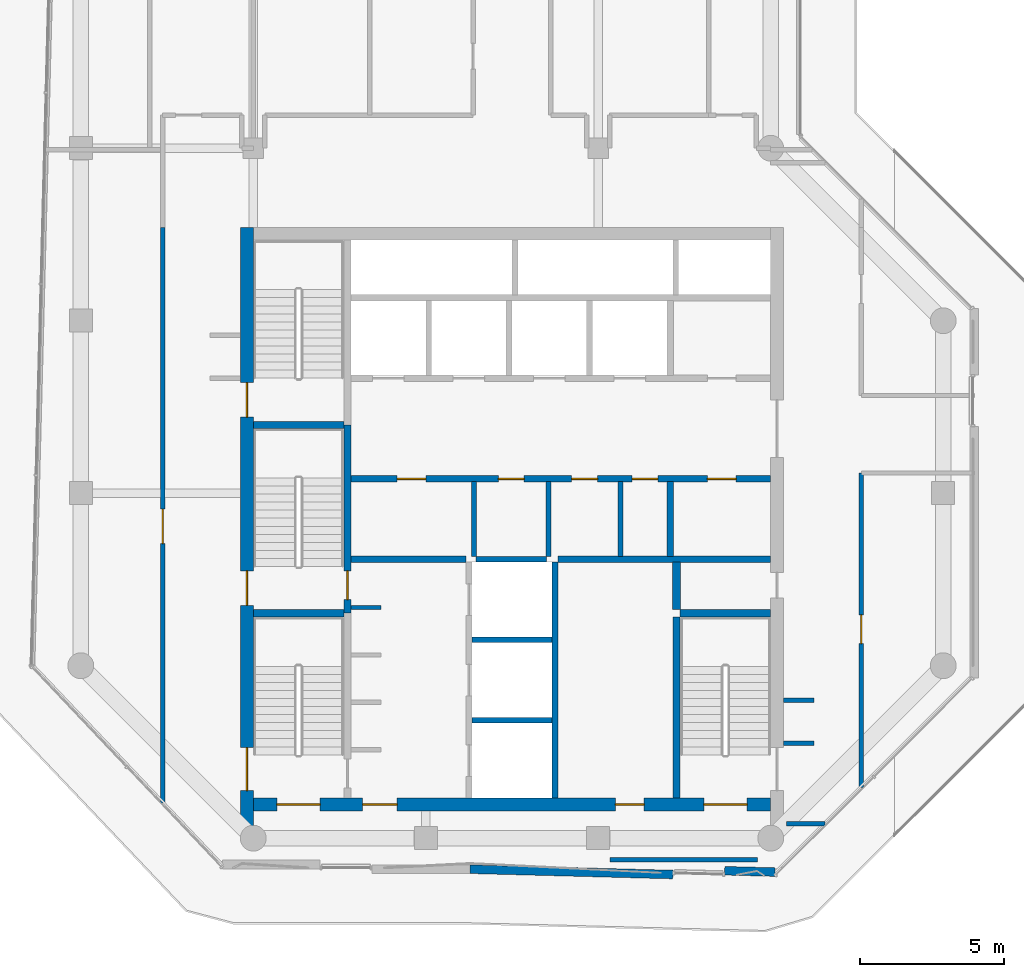
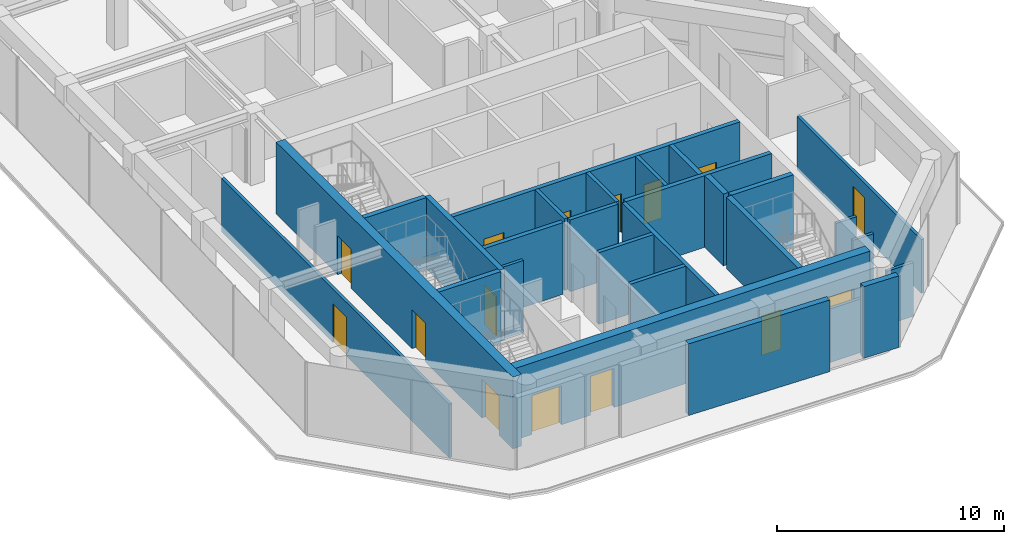
# One storey, part 15 of 19: 28 walls, 15 doors, 15 openings.
"""IFC4 building model written with IfcOpenShell, lengths in metres."""

from ifc_helpers import new_model, si_unit, direction, frame, frame_2d, origin, place, context, subcontext, project, spatial, rectangle, extrude, material, layer, layer_set, type_object, element, fill, save


model = new_model("IFC4")

# Units and contexts
model_context = context("Model", 3, precision=1e-05, world=origin(), true_north=direction((0.0, 1.0)))
body_context = subcontext(model_context, "Body", "Model", "MODEL_VIEW")
ifc_project = project(units=[si_unit("LENGTHUNIT", "METRE"), si_unit("AREAUNIT", "SQUARE_METRE"), si_unit("VOLUMEUNIT", "CUBIC_METRE"), si_unit("PLANEANGLEUNIT", "RADIAN"), si_unit("MASSUNIT", "GRAM", prefix="KILO")], contexts=[model_context])

# Site, building, storey
site_placement = place(None, origin())
site = spatial("IfcSite", under=ifc_project, at=site_placement, CompositionType="ELEMENT")
building_placement = place(site_placement, origin())
building = spatial("IfcBuilding", under=site, at=building_placement, Name="Welwitschia Terrace Campus", CompositionType="ELEMENT")
storey_placement = place(building_placement, frame((0.0, 0.0, 234.800048828125)))
storey = spatial("IfcBuildingStorey", under=building, at=storey_placement, Name="L52", CompositionType="ELEMENT", Elevation=234.800048828125)

# Walls
ifc_material_1 = material(Name="Concrete C32/40", Category="concrete")
ifc_layer_1 = layer(ifc_material_1, 0.175048828125)
ifc_layer_set_1 = layer_set([ifc_layer_1], Name="Concrete C32/40")
wall_type_1 = type_object("IfcWallType", Name="Core partition 175 Concrete C32/40", PredefinedType="PARTITIONING", material=ifc_layer_set_1)
for number, where, z_axis, x_axis, name in (
    (1, (13.675048828125, 13.800048828125, 0.0), (0.0, 0.0, 1.0), (0.0, 1.0, 0.0), "Core partition"),
    (2, (16.27490234375, 13.800048828125, 0.0), (0.0, 0.0, 1.0), (0.0, 1.0, 0.0), "Core partition"),
    (3, (18.77490234375, 13.800048828125, 0.0), (0.0, 0.0, 1.0), (0.0, 1.0, 0.0), "Core partition"),
):
    element("IfcWall", number, at=place(storey_placement, frame(where, z_axis=z_axis, x_axis=x_axis)), inside=storey, type_object=wall_type_1, Name=name, PredefinedType="PARTITIONING", context=body_context, shape_type="SweptSolid", body=[
        extrude(rectangle(XDim=2.599853515625, YDim=0.175048828125, at=frame_2d((1.2998046875, 0.0))), origin(), (0.0, 0.0, 1.0), 3.849853515625),
    ])
ifc_material_2 = material(Name="Concrete C32/40", Category="concrete")
ifc_layer_2 = layer(ifc_material_2, 0.22509765625)
ifc_layer_set_2 = layer_set([ifc_layer_2], Name="Concrete C32/40")
wall_type_2 = type_object("IfcWallType", Name="Core partition 225 Concrete C32/40", PredefinedType="PARTITIONING", material=ifc_layer_set_2)
wall_1_placement = place(storey_placement, frame((9.39990234375, 13.699951171875, 0.0), z_axis=(0.0, 0.0, 1.0), x_axis=(1.0, 0.0, 0.0)))
element("IfcWall", 4, at=wall_1_placement, inside=storey, type_object=wall_type_2, Name="Core partition", PredefinedType="PARTITIONING", context=body_context, shape_type="SweptSolid", body=[
    extrude(rectangle(XDim=4.0, YDim=0.22509765625, at=frame_2d((2.0, 0.0))), origin(), (0.0, 0.0, 1.0), 3.849853515625),
])
wall_2_placement = place(storey_placement, frame((16.60009765625, 13.699951171875, 0.0), z_axis=(0.0, 0.0, 1.0), x_axis=(1.0, 0.0, 0.0)))
element("IfcWall", 5, at=wall_2_placement, inside=storey, type_object=wall_type_2, Name="Core partition", PredefinedType="PARTITIONING", context=body_context, shape_type="SweptSolid", body=[
    extrude(rectangle(XDim=7.39990234375, YDim=0.22509765625, at=frame_2d((3.699951171875, 0.0))), origin(), (0.0, 0.0, 1.0), 3.849853515625),
])

# Wall, openings, doors
wall_3_placement = place(storey_placement, frame((9.39990234375, 16.5, 0.0), z_axis=(0.0, 0.0, 1.0), x_axis=(1.0, 0.0, 0.0)))
wall_3 = element("IfcWall", 6, at=wall_3_placement, inside=storey, type_object=wall_type_2, Name="Core partition", PredefinedType="PARTITIONING", context=body_context, shape_type="SweptSolid", body=[
    extrude(rectangle(XDim=14.60009765625, YDim=0.22509765625, at=frame_2d((7.300048828125, 0.0))), origin(), (0.0, 0.0, 1.0), 3.849853515625),
])
opening_1_placement = place(wall_3_placement, frame((1.60009765625, 0.0, 0.0)))
opening_1 = element("IfcOpeningElement", 7, at=opening_1_placement, cuts=wall_3, Name="Opening DR10", PredefinedType="OPENING", context=body_context, shape_type="SweptSolid", body=[
    extrude(rectangle(XDim=1.0, YDim=2.10009765625, at=frame_2d((0.5, 1.050048828125))), frame((0.0, 0.12255859375, 0.0), z_axis=(0.0, -1.0, 0.0), x_axis=(1.0, 0.0, 0.0)), (0.0, 0.0, 1.0), 0.2451171875),
])
opening_2_placement = place(wall_3_placement, frame((5.125, 0.0, 0.0)))
opening_2 = element("IfcOpeningElement", 8, at=opening_2_placement, cuts=wall_3, Name="Opening DR09", PredefinedType="OPENING", context=body_context, shape_type="SweptSolid", body=[
    extrude(rectangle(XDim=0.89990234375, YDim=2.10009765625, at=frame_2d((0.449951171875, 1.050048828125))), frame((0.0, 0.12255859375, 0.0), z_axis=(0.0, -1.0, 0.0), x_axis=(1.0, 0.0, 0.0)), (0.0, 0.0, 1.0), 0.2451171875),
])
opening_3_placement = place(wall_3_placement, frame((7.675048828125, 0.0, 0.0)))
opening_3 = element("IfcOpeningElement", 9, at=opening_3_placement, cuts=wall_3, Name="Opening DR09", PredefinedType="OPENING", context=body_context, shape_type="SweptSolid", body=[
    extrude(rectangle(XDim=0.89990234375, YDim=2.10009765625, at=frame_2d((0.449951171875, 1.050048828125))), frame((0.0, 0.12255859375, 0.0), z_axis=(0.0, -1.0, 0.0), x_axis=(1.0, 0.0, 0.0)), (0.0, 0.0, 1.0), 0.2451171875),
])
opening_4_placement = place(wall_3_placement, frame((9.77490234375, 0.0, 0.0)))
opening_4 = element("IfcOpeningElement", 10, at=opening_4_placement, cuts=wall_3, Name="Opening DR09", PredefinedType="OPENING", context=body_context, shape_type="SweptSolid", body=[
    extrude(rectangle(XDim=0.89990234375, YDim=2.10009765625, at=frame_2d((0.449951171875, 1.050048828125))), frame((0.0, 0.12255859375, 0.0), z_axis=(0.0, -1.0, 0.0), x_axis=(1.0, 0.0, 0.0)), (0.0, 0.0, 1.0), 0.2451171875),
])
opening_5_placement = place(wall_3_placement, frame((12.39990234375, 0.0, 0.0)))
opening_5 = element("IfcOpeningElement", 11, at=opening_5_placement, cuts=wall_3, Name="Opening DR10", PredefinedType="OPENING", context=body_context, shape_type="SweptSolid", body=[
    extrude(rectangle(XDim=1.0, YDim=2.10009765625, at=frame_2d((0.5, 1.050048828125))), frame((0.0, 0.12255859375, 0.0), z_axis=(0.0, -1.0, 0.0), x_axis=(1.0, 0.0, 0.0)), (0.0, 0.0, 1.0), 0.2451171875),
])
ifc_material_3 = material(Name="Steel S275", Category="steel")
door_type_1 = type_object("IfcDoorType", Name="Core door DR09", OperationType="SINGLE_SWING_LEFT", PredefinedType="DOOR", material=ifc_material_3)
door_1_placement = place(opening_2_placement, origin())
door_1 = element("IfcDoor", 12, at=door_1_placement, inside=storey, type_object=door_type_1, Name="Door BAYL2-D", OperationType="SINGLE_SWING_LEFT", OverallHeight=2.10009765625, OverallWidth=0.89990234375, PredefinedType="DOOR", context=body_context, shape_type="SweptSolid", body=[
    extrude(rectangle(XDim=0.89990234375, YDim=2.10009765625, at=frame_2d((0.449951171875, 1.050048828125))), frame((0.0, 0.02490234375, 0.0), z_axis=(0.0, -1.0, 0.0), x_axis=(1.0, 0.0, 0.0)), (0.0, 0.0, 1.0), 0.050048828125),
])
fill(opening_2, door_1)
door_2_placement = place(opening_3_placement, origin())
door_2 = element("IfcDoor", 13, at=door_2_placement, inside=storey, type_object=door_type_1, Name="Door BAYL3-D", OperationType="SINGLE_SWING_RIGHT", OverallHeight=2.10009765625, OverallWidth=0.89990234375, PredefinedType="DOOR", context=body_context, shape_type="SweptSolid", body=[
    extrude(rectangle(XDim=0.89990234375, YDim=2.10009765625, at=frame_2d((0.449951171875, 1.050048828125))), frame((0.0, 0.02490234375, 0.0), z_axis=(0.0, -1.0, 0.0), x_axis=(1.0, 0.0, 0.0)), (0.0, 0.0, 1.0), 0.050048828125),
])
fill(opening_3, door_2)
door_3_placement = place(opening_4_placement, origin())
door_3 = element("IfcDoor", 14, at=door_3_placement, inside=storey, type_object=door_type_1, Name="Door BAYL4-D", OperationType="SINGLE_SWING_RIGHT", OverallHeight=2.10009765625, OverallWidth=0.89990234375, PredefinedType="DOOR", context=body_context, shape_type="SweptSolid", body=[
    extrude(rectangle(XDim=0.89990234375, YDim=2.10009765625, at=frame_2d((0.449951171875, 1.050048828125))), frame((0.0, 0.02490234375, 0.0), z_axis=(0.0, -1.0, 0.0), x_axis=(1.0, 0.0, 0.0)), (0.0, 0.0, 1.0), 0.050048828125),
])
fill(opening_4, door_3)
ifc_material_4 = material(Name="Steel S275", Category="steel")
door_type_2 = type_object("IfcDoorType", Name="Core door DR10", OperationType="SINGLE_SWING_LEFT", PredefinedType="DOOR", material=ifc_material_4)
door_4_placement = place(opening_1_placement, origin())
door_4 = element("IfcDoor", 15, at=door_4_placement, inside=storey, type_object=door_type_2, Name="Door BAYL1-D", OperationType="SINGLE_SWING_LEFT", OverallHeight=2.10009765625, OverallWidth=1.0, PredefinedType="DOOR", context=body_context, shape_type="SweptSolid", body=[
    extrude(rectangle(XDim=1.0, YDim=2.10009765625, at=frame_2d((0.5, 1.050048828125))), frame((0.0, 0.02490234375, 0.0), z_axis=(0.0, -1.0, 0.0), x_axis=(1.0, 0.0, 0.0)), (0.0, 0.0, 1.0), 0.050048828125),
])
fill(opening_1, door_4)
door_5_placement = place(opening_5_placement, origin())
door_5 = element("IfcDoor", 16, at=door_5_placement, inside=storey, type_object=door_type_2, Name="Door EL-D", OperationType="SINGLE_SWING_RIGHT", OverallHeight=2.10009765625, OverallWidth=1.0, PredefinedType="DOOR", context=body_context, shape_type="SweptSolid", body=[
    extrude(rectangle(XDim=1.0, YDim=2.10009765625, at=frame_2d((0.5, 1.050048828125))), frame((0.0, 0.02490234375, 0.0), z_axis=(0.0, -1.0, 0.0), x_axis=(1.0, 0.0, 0.0)), (0.0, 0.0, 1.0), 0.050048828125),
])
fill(opening_5, door_5)

# Walls
wall_4_placement = place(storey_placement, frame((20.5, 13.800048828125, 0.0), z_axis=(0.0, 0.0, 1.0), x_axis=(0.0, 1.0, 0.0)))
element("IfcWall", 17, at=wall_4_placement, inside=storey, type_object=wall_type_2, Name="Core partition", PredefinedType="PARTITIONING", context=body_context, shape_type="SweptSolid", body=[
    extrude(rectangle(XDim=2.599853515625, YDim=0.22509765625, at=frame_2d((1.2998046875, 0.0))), origin(), (0.0, 0.0, 1.0), 3.849853515625),
])
ifc_material_5 = material(Name="Concrete C32/40", Category="concrete")
ifc_layer_3 = layer(ifc_material_5, 0.27490234375)
ifc_layer_set_3 = layer_set([ifc_layer_3], Name="Concrete C32/40")
wall_type_3 = type_object("IfcWallType", Name="Core partition 275 Concrete C32/40", PredefinedType="PARTITIONING", material=ifc_layer_set_3)
wall_5_placement = place(storey_placement, frame((20.72509765625, 11.949951171875, 0.0), z_axis=(0.0, 0.0, 1.0), x_axis=(0.0, 1.0, 0.0)))
element("IfcWall", 18, at=wall_5_placement, inside=storey, type_object=wall_type_3, Name="Core partition", PredefinedType="PARTITIONING", context=body_context, shape_type="SweptSolid", body=[
    extrude(rectangle(XDim=1.650146484375, YDim=0.27490234375, at=frame_2d((0.8251953125, 0.0))), origin(), (0.0, 0.0, 1.0), 3.849853515625),
])
ifc_material_6 = material(Name="Concrete C50/60", Category="concrete")
ifc_layer_4 = layer(ifc_material_6, 0.14990234375)
ifc_layer_set_4 = layer_set([ifc_layer_4], Name="Concrete C50/60")
wall_type_4 = type_object("IfcWallType", Name="Core wall 150 Concrete C50/60", PredefinedType="SHEAR", material=ifc_layer_set_4)
wall_6_placement = place(storey_placement, frame((9.39990234375, 12.02490234375, 0.0), z_axis=(0.0, 0.0, 1.0), x_axis=(1.0, 0.0, 0.0)))
element("IfcWall", 19, at=wall_6_placement, inside=storey, type_object=wall_type_4, Name="Core wall", PredefinedType="SHEAR", context=body_context, shape_type="SweptSolid", body=[
    extrude(rectangle(XDim=1.050048828125, YDim=0.14990234375, at=frame_2d((0.52490234375, 0.0))), origin(), (0.0, 0.0, 1.0), 3.849853515625),
])
ifc_material_7 = material(Name="Concrete C50/60", Category="concrete")
ifc_layer_5 = layer(ifc_material_7, 0.199951171875)
ifc_layer_set_5 = layer_set([ifc_layer_5], Name="Concrete C50/60")
wall_type_5 = type_object("IfcWallType", Name="Core wall 200 Concrete C50/60", PredefinedType="SHEAR", material=ifc_layer_set_5)
for number, where, z_axis, x_axis, name in (
    (20, (13.60009765625, 8.10009765625, 0.0), (0.0, 0.0, 1.0), (1.0, 0.0, 0.0), "Core wall"),
    (21, (13.60009765625, 10.89990234375, 0.0), (0.0, 0.0, 1.0), (1.0, 0.0, 0.0), "Core wall"),
):
    element("IfcWall", number, at=place(storey_placement, frame(where, z_axis=z_axis, x_axis=x_axis)), inside=storey, type_object=wall_type_5, Name=name, PredefinedType="SHEAR", context=body_context, shape_type="SweptSolid", body=[
        extrude(rectangle(XDim=2.7998046875, YDim=0.199951171875, at=frame_2d((1.39990234375, 0.0))), origin(), (0.0, 0.0, 1.0), 3.849853515625),
    ])
wall_7_placement = place(storey_placement, frame((13.75, 13.699951171875, 0.0), z_axis=(0.0, 0.0, 1.0), x_axis=(1.0, 0.0, 0.0)))
element("IfcWall", 22, at=wall_7_placement, inside=storey, type_object=wall_type_5, Name="Core wall", PredefinedType="SHEAR", context=body_context, shape_type="SweptSolid", body=[
    extrude(rectangle(XDim=2.449951171875, YDim=0.199951171875, at=frame_2d((1.22509765625, 0.0))), origin(), (0.0, 0.0, 1.0), 3.849853515625),
])
wall_8_placement = place(storey_placement, frame((16.5, 5.39990234375, 0.0), z_axis=(0.0, 0.0, 1.0), x_axis=(0.0, 1.0, 0.0)))
element("IfcWall", 23, at=wall_8_placement, inside=storey, type_object=wall_type_5, Name="Core wall", PredefinedType="SHEAR", context=body_context, shape_type="SweptSolid", body=[
    extrude(rectangle(XDim=8.2001953125, YDim=0.199951171875, at=frame_2d((4.10009765625, 0.0))), origin(), (0.0, 0.0, 1.0), 3.849853515625),
])
ifc_material_8 = material(Name="Concrete C50/60", Category="concrete")
ifc_layer_6 = layer(ifc_material_8, 0.25)
ifc_layer_set_6 = layer_set([ifc_layer_6], Name="Concrete C50/60")
wall_type_6 = type_object("IfcWallType", Name="Core wall 250 Concrete C50/60", PredefinedType="SHEAR", material=ifc_layer_set_6)
for number, where, z_axis, x_axis, name in (
    (24, (6.0, 11.824951171875, 0.0), (0.0, 0.0, 1.0), (1.0, 0.0, 0.0), "Core wall"),
    (25, (20.85009765625, 11.824951171875, 0.0), (0.0, 0.0, 1.0), (1.0, 0.0, 0.0), "Core wall"),
    (26, (6.0, 18.375, 0.0), (0.0, 0.0, 1.0), (1.0, 0.0, 0.0), "Core wall"),
):
    element("IfcWall", number, at=place(storey_placement, frame(where, z_axis=z_axis, x_axis=x_axis)), inside=storey, type_object=wall_type_6, Name=name, PredefinedType="SHEAR", context=body_context, shape_type="SweptSolid", body=[
        extrude(rectangle(XDim=3.14990234375, YDim=0.25, at=frame_2d((1.574951171875, 0.0))), origin(), (0.0, 0.0, 1.0), 3.849853515625),
    ])

# Wall, opening, door
wall_9_placement = place(storey_placement, frame((9.27490234375, 18.375, 0.0), z_axis=(0.0, 0.0, 1.0), x_axis=(0.0, -1.0, 0.0)))
wall_9 = element("IfcWall", 27, at=wall_9_placement, inside=storey, type_object=wall_type_6, Name="Core wall", PredefinedType="SHEAR", context=body_context, shape_type="SweptSolid", body=[
    extrude(rectangle(XDim=6.550048828125, YDim=0.25, at=frame_2d((3.27490234375, 0.0))), origin(), (0.0, 0.0, 1.0), 3.849853515625),
])
opening_6_placement = place(wall_9_placement, frame((5.074951171875, 0.0, 0.0)))
opening_6 = element("IfcOpeningElement", 28, at=opening_6_placement, cuts=wall_9, Name="Opening DS10", PredefinedType="OPENING", context=body_context, shape_type="SweptSolid", body=[
    extrude(rectangle(XDim=1.0, YDim=2.10009765625, at=frame_2d((0.5, 1.050048828125))), frame((0.0, 0.135009765625, 0.0), z_axis=(0.0, -1.0, 0.0), x_axis=(1.0, 0.0, 0.0)), (0.0, 0.0, 1.0), 0.27001953125),
])
ifc_material_9 = material(Name="Steel S275", Category="steel")
door_type_3 = type_object("IfcDoorType", Name="Core door DS10", OperationType="SINGLE_SWING_LEFT", PredefinedType="DOOR", material=ifc_material_9)
door_6_placement = place(opening_6_placement, origin())
door_6 = element("IfcDoor", 29, at=door_6_placement, inside=storey, type_object=door_type_3, Name="Door S3-FL", OperationType="SINGLE_SWING_RIGHT", OverallHeight=2.10009765625, OverallWidth=1.0, PredefinedType="DOOR", context=body_context, shape_type="SweptSolid", body=[
    extrude(rectangle(XDim=1.0, YDim=2.10009765625, at=frame_2d((0.5, 1.050048828125))), frame((0.0, 0.02490234375, 0.0), z_axis=(0.0, -1.0, 0.0), x_axis=(1.0, 0.0, 0.0)), (0.0, 0.0, 1.0), 0.050048828125),
])
fill(opening_6, door_6)

# Wall
wall_10_placement = place(storey_placement, frame((20.72509765625, 5.39990234375, 0.0), z_axis=(0.0, 0.0, 1.0), x_axis=(0.0, 1.0, 0.0)))
element("IfcWall", 30, at=wall_10_placement, inside=storey, type_object=wall_type_6, Name="Core wall", PredefinedType="SHEAR", context=body_context, shape_type="SweptSolid", body=[
    extrude(rectangle(XDim=6.300048828125, YDim=0.25, at=frame_2d((3.14990234375, 0.0))), origin(), (0.0, 0.0, 1.0), 3.849853515625),
])

# Wall, openings, doors
ifc_material_10 = material(Name="Concrete C60/75", Category="concrete")
ifc_layer_7 = layer(ifc_material_10, 0.449951171875)
ifc_layer_set_7 = layer_set([ifc_layer_7], Name="Concrete C60/75")
wall_type_7 = type_object("IfcWallType", Name="Core wall 450 Concrete C60/75", PredefinedType="SHEAR", material=ifc_layer_set_7)
wall_11_placement = place(storey_placement, frame((5.77490234375, 4.419921875, 0.0), z_axis=(0.0, 0.0, 1.0), x_axis=(0.0, 1.0, 0.0)))
wall_11 = element("IfcWall", 31, at=wall_11_placement, inside=storey, type_object=wall_type_7, Name="Core outer wall", PredefinedType="SHEAR", context=body_context, shape_type="SweptSolid", body=[
    extrude(rectangle(XDim=20.830078125, YDim=0.449951171875, at=frame_2d((10.4150390625, 0.0))), origin(), (0.0, 0.0, 1.0), 3.849853515625),
])
opening_7_placement = place(wall_11_placement, frame((1.22998046875, 0.0, 0.0)))
opening_7 = element("IfcOpeningElement", 32, at=opening_7_placement, cuts=wall_11, Name="Opening DS15", PredefinedType="OPENING", context=body_context, shape_type="SweptSolid", body=[
    extrude(rectangle(XDim=1.5, YDim=2.10009765625, at=frame_2d((0.75, 1.050048828125))), frame((0.0, 0.23486328125, 0.0), z_axis=(0.0, -1.0, 0.0), x_axis=(1.0, 0.0, 0.0)), (0.0, 0.0, 1.0), 0.469970703125),
])
opening_8_placement = place(wall_11_placement, frame((7.679931640625, 0.0, 0.0)))
opening_8 = element("IfcOpeningElement", 33, at=opening_8_placement, cuts=wall_11, Name="Opening DS12", PredefinedType="OPENING", context=body_context, shape_type="SweptSolid", body=[
    extrude(rectangle(XDim=1.199951171875, YDim=2.10009765625, at=frame_2d((0.60009765625, 1.050048828125))), frame((0.0, 0.23486328125, 0.0), z_axis=(0.0, -1.0, 0.0), x_axis=(1.0, 0.0, 0.0)), (0.0, 0.0, 1.0), 0.469970703125),
])
opening_9_placement = place(wall_11_placement, frame((14.22998046875, 0.0, 0.0)))
opening_9 = element("IfcOpeningElement", 34, at=opening_9_placement, cuts=wall_11, Name="Opening DS12", PredefinedType="OPENING", context=body_context, shape_type="SweptSolid", body=[
    extrude(rectangle(XDim=1.199951171875, YDim=2.10009765625, at=frame_2d((0.60009765625, 1.050048828125))), frame((0.0, 0.23486328125, 0.0), z_axis=(0.0, -1.0, 0.0), x_axis=(1.0, 0.0, 0.0)), (0.0, 0.0, 1.0), 0.469970703125),
])
ifc_material_11 = material(Name="Steel S275", Category="steel")
door_type_4 = type_object("IfcDoorType", Name="Core door DS12", OperationType="SINGLE_SWING_LEFT", PredefinedType="DOOR", material=ifc_material_11)
door_7_placement = place(opening_8_placement, origin())
door_7 = element("IfcDoor", 35, at=door_7_placement, inside=storey, type_object=door_type_4, Name="Door S3-out", OperationType="SINGLE_SWING_LEFT", OverallHeight=2.10009765625, OverallWidth=1.199951171875, PredefinedType="DOOR", context=body_context, shape_type="SweptSolid", body=[
    extrude(rectangle(XDim=1.199951171875, YDim=2.10009765625, at=frame_2d((0.60009765625, 1.050048828125))), frame((0.0, 0.02490234375, 0.0), z_axis=(0.0, -1.0, 0.0), x_axis=(1.0, 0.0, 0.0)), (0.0, 0.0, 1.0), 0.050048828125),
])
fill(opening_8, door_7)
door_8_placement = place(opening_9_placement, origin())
door_8 = element("IfcDoor", 36, at=door_8_placement, inside=storey, type_object=door_type_4, Name="Door S4-out", OperationType="SINGLE_SWING_RIGHT", OverallHeight=2.10009765625, OverallWidth=1.199951171875, PredefinedType="DOOR", context=body_context, shape_type="SweptSolid", body=[
    extrude(rectangle(XDim=1.199951171875, YDim=2.10009765625, at=frame_2d((0.60009765625, 1.050048828125))), frame((0.0, 0.02490234375, 0.0), z_axis=(0.0, -1.0, 0.0), x_axis=(1.0, 0.0, 0.0)), (0.0, 0.0, 1.0), 0.050048828125),
])
fill(opening_9, door_8)
ifc_material_12 = material(Name="Steel S275", Category="steel")
door_type_5 = type_object("IfcDoorType", Name="Core door DS15", OperationType="DOUBLE_DOOR_SINGLE_SWING", PredefinedType="DOOR", material=ifc_material_12)
door_9_placement = place(opening_7_placement, origin())
door_9 = element("IfcDoor", 37, at=door_9_placement, inside=storey, type_object=door_type_5, Name="Door S1-out", OperationType="DOUBLE_DOOR_SINGLE_SWING", OverallHeight=2.10009765625, OverallWidth=1.5, PredefinedType="DOOR", context=body_context, shape_type="SweptSolid", body=[
    extrude(rectangle(XDim=1.5, YDim=2.10009765625, at=frame_2d((0.75, 1.050048828125))), frame((0.0, 0.02490234375, 0.0), z_axis=(0.0, -1.0, 0.0), x_axis=(1.0, 0.0, 0.0)), (0.0, 0.0, 1.0), 0.050048828125),
])
fill(opening_7, door_9)

wall_12_placement = place(storey_placement, frame((24.0, 5.175048828125, 0.0), z_axis=(0.0, 0.0, 1.0), x_axis=(-1.0, 0.0, 0.0)))
wall_12 = element("IfcWall", 38, at=wall_12_placement, inside=storey, type_object=wall_type_7, Name="Core outer wall", PredefinedType="SHEAR", context=body_context, shape_type="SweptSolid", body=[
    extrude(rectangle(XDim=18.0, YDim=0.449951171875, at=frame_2d((9.0, 0.0))), origin(), (0.0, 0.0, 1.0), 3.849853515625),
])
opening_10_placement = place(wall_12_placement, frame((0.824951171875, 0.0, 0.0)))
opening_10 = element("IfcOpeningElement", 39, at=opening_10_placement, cuts=wall_12, Name="Opening DS15", PredefinedType="OPENING", context=body_context, shape_type="SweptSolid", body=[
    extrude(rectangle(XDim=1.5, YDim=2.10009765625, at=frame_2d((0.75, 1.050048828125))), frame((0.0, 0.23486328125, 0.0), z_axis=(0.0, -1.0, 0.0), x_axis=(1.0, 0.0, 0.0)), (0.0, 0.0, 1.0), 0.469970703125),
])
opening_11_placement = place(wall_12_placement, frame((15.675048828125, 0.0, 0.0)))
opening_11 = element("IfcOpeningElement", 40, at=opening_11_placement, cuts=wall_12, Name="Opening DS15", PredefinedType="OPENING", context=body_context, shape_type="SweptSolid", body=[
    extrude(rectangle(XDim=1.5, YDim=2.10009765625, at=frame_2d((0.75, 1.050048828125))), frame((0.0, 0.23486328125, 0.0), z_axis=(0.0, -1.0, 0.0), x_axis=(1.0, 0.0, 0.0)), (0.0, 0.0, 1.0), 0.469970703125),
])
opening_12_placement = place(wall_12_placement, frame((13.0, 0.0, 0.0)))
opening_12 = element("IfcOpeningElement", 41, at=opening_12_placement, cuts=wall_12, Name="Opening DF12", PredefinedType="OPENING", context=body_context, shape_type="SweptSolid", body=[
    extrude(rectangle(XDim=1.199951171875, YDim=2.10009765625, at=frame_2d((0.60009765625, 1.050048828125))), frame((0.0, 0.23486328125, 0.0), z_axis=(0.0, -1.0, 0.0), x_axis=(1.0, 0.0, 0.0)), (0.0, 0.0, 1.0), 0.469970703125),
])
opening_13_placement = place(wall_12_placement, frame((4.39990234375, 0.0, 0.0)))
opening_13 = element("IfcOpeningElement", 42, at=opening_13_placement, cuts=wall_12, Name="Opening DR10", PredefinedType="OPENING", context=body_context, shape_type="SweptSolid", body=[
    extrude(rectangle(XDim=1.0, YDim=2.10009765625, at=frame_2d((0.5, 1.050048828125))), frame((0.0, 0.23486328125, 0.0), z_axis=(0.0, -1.0, 0.0), x_axis=(1.0, 0.0, 0.0)), (0.0, 0.0, 1.0), 0.469970703125),
])
ifc_material_13 = material(Name="Steel S275", Category="steel")
door_type_6 = type_object("IfcDoorType", Name="Core door DF12", OperationType="SINGLE_SWING_LEFT", PredefinedType="DOOR", material=ifc_material_13)
door_10_placement = place(opening_12_placement, origin())
door_10 = element("IfcDoor", 43, at=door_10_placement, inside=storey, type_object=door_type_6, Name="Door FL-out", OperationType="SINGLE_SWING_RIGHT", OverallHeight=2.10009765625, OverallWidth=1.199951171875, PredefinedType="DOOR", context=body_context, shape_type="SweptSolid", body=[
    extrude(rectangle(XDim=1.199951171875, YDim=2.10009765625, at=frame_2d((0.60009765625, 1.050048828125))), frame((0.0, 0.02490234375, 0.0), z_axis=(0.0, -1.0, 0.0), x_axis=(1.0, 0.0, 0.0)), (0.0, 0.0, 1.0), 0.050048828125),
])
fill(opening_12, door_10)
door_11_placement = place(opening_13_placement, origin())
door_11 = element("IfcDoor", 44, at=door_11_placement, inside=storey, type_object=door_type_2, Name="Door F1-out", OperationType="SINGLE_SWING_LEFT", OverallHeight=2.10009765625, OverallWidth=1.0, PredefinedType="DOOR", context=body_context, shape_type="SweptSolid", body=[
    extrude(rectangle(XDim=1.0, YDim=2.10009765625, at=frame_2d((0.5, 1.050048828125))), frame((0.0, 0.02490234375, 0.0), z_axis=(0.0, -1.0, 0.0), x_axis=(1.0, 0.0, 0.0)), (0.0, 0.0, 1.0), 0.050048828125),
])
fill(opening_13, door_11)
door_12_placement = place(opening_10_placement, origin())
door_12 = element("IfcDoor", 45, at=door_12_placement, inside=storey, type_object=door_type_5, Name="Door S2-outS", OperationType="DOUBLE_DOOR_SINGLE_SWING", OverallHeight=2.10009765625, OverallWidth=1.5, PredefinedType="DOOR", context=body_context, shape_type="SweptSolid", body=[
    extrude(rectangle(XDim=1.5, YDim=2.10009765625, at=frame_2d((0.75, 1.050048828125))), frame((0.0, 0.02490234375, 0.0), z_axis=(0.0, -1.0, 0.0), x_axis=(1.0, 0.0, 0.0)), (0.0, 0.0, 1.0), 0.050048828125),
])
fill(opening_10, door_12)
door_13_placement = place(opening_11_placement, origin())
door_13 = element("IfcDoor", 46, at=door_13_placement, inside=storey, type_object=door_type_5, Name="Door S1-outS", OperationType="DOUBLE_DOOR_SINGLE_SWING", OverallHeight=2.10009765625, OverallWidth=1.5, PredefinedType="DOOR", context=body_context, shape_type="SweptSolid", body=[
    extrude(rectangle(XDim=1.5, YDim=2.10009765625, at=frame_2d((0.75, 1.050048828125))), frame((0.0, 0.02490234375, 0.0), z_axis=(0.0, -1.0, 0.0), x_axis=(1.0, 0.0, 0.0)), (0.0, 0.0, 1.0), 0.050048828125),
])
fill(opening_11, door_13)

# Wall, opening, door
ifc_material_14 = material(Name="Gypsum board on steel studs", Category="steel")
ifc_layer_8 = layer(ifc_material_14, 0.14990234375)
ifc_layer_set_8 = layer_set([ifc_layer_8], Name="Gypsum board on steel studs")
wall_type_8 = type_object("IfcWallType", Name="Corridor partition 150 EI 30", PredefinedType="PARTITIONING", material=ifc_layer_set_8)
wall_13_placement = place(storey_placement, frame((2.85009765625, 5.22998046875, 0.0), z_axis=(0.0, 0.0, 1.0), x_axis=(0.0, 1.0, 0.0)))
wall_13 = element("IfcWall", 47, at=wall_13_placement, inside=storey, type_object=wall_type_8, Name="Partition", PredefinedType="PARTITIONING", context=body_context, shape_type="SweptSolid", body=[
    extrude(rectangle(XDim=20.02001953125, YDim=0.14990234375, at=frame_2d((10.010009765625, 0.0))), origin(), (0.0, 0.0, 1.0), 2.8798828125),
])
opening_14_placement = place(wall_13_placement, frame((9.02001953125, 0.0, 0.0)))
opening_14 = element("IfcOpeningElement", 48, at=opening_14_placement, cuts=wall_13, Name="Opening DI12", PredefinedType="OPENING", context=body_context, shape_type="SweptSolid", body=[
    extrude(rectangle(XDim=1.199951171875, YDim=2.10009765625, at=frame_2d((0.60009765625, 1.050048828125))), frame((0.0, 0.0849609375, 0.0), z_axis=(0.0, -1.0, 0.0), x_axis=(1.0, 0.0, 0.0)), (0.0, 0.0, 1.0), 0.169921875),
])
ifc_material_15 = material(Name="Timber veneered door", Category="wood")
door_type_7 = type_object("IfcDoorType", Name="Interior door DI12", OperationType="NOTDEFINED", PredefinedType="DOOR", material=ifc_material_15)
door_14_placement = place(opening_14_placement, origin())
door_14 = element("IfcDoor", 49, at=door_14_placement, inside=storey, type_object=door_type_7, Name="Door L52 961", OperationType="SINGLE_SWING_RIGHT", OverallHeight=2.10009765625, OverallWidth=1.199951171875, PredefinedType="DOOR", context=body_context, shape_type="SweptSolid", body=[
    extrude(rectangle(XDim=1.199951171875, YDim=2.10009765625, at=frame_2d((0.60009765625, 1.050048828125))), frame((0.0, 0.02490234375, 0.0), z_axis=(0.0, -1.0, 0.0), x_axis=(1.0, 0.0, 0.0)), (0.0, 0.0, 1.0), 0.050048828125),
])
fill(opening_14, door_14)

# Walls
wall_14_placement = place(storey_placement, frame((18.409912109375, 3.25, 0.0), z_axis=(0.0, 0.0, 1.0), x_axis=(1.0, 0.0, 0.0)))
element("IfcWall", 50, at=wall_14_placement, inside=storey, type_object=wall_type_8, Name="Partition", PredefinedType="PARTITIONING", context=body_context, shape_type="SweptSolid", body=[
    extrude(rectangle(XDim=5.130126953125, YDim=0.14990234375, at=frame_2d((2.56494140625, 0.0))), origin(), (0.0, 0.0, 1.0), 2.8798828125),
])
for number, where, z_axis, x_axis, name in (
    (51, (24.449951171875, 7.300048828125, 0.0), (0.0, 0.0, 1.0), (1.0, 0.0, 0.0), "Partition"),
    (52, (24.449951171875, 8.800048828125, 0.0), (0.0, 0.0, 1.0), (1.0, 0.0, 0.0), "Partition"),
):
    element("IfcWall", number, at=place(storey_placement, frame(where, z_axis=z_axis, x_axis=x_axis)), inside=storey, type_object=wall_type_8, Name=name, PredefinedType="PARTITIONING", context=body_context, shape_type="SweptSolid", body=[
        extrude(rectangle(XDim=1.050048828125, YDim=0.14990234375, at=frame_2d((0.52490234375, 0.0))), origin(), (0.0, 0.0, 1.0), 2.8798828125),
    ])
wall_15_placement = place(storey_placement, frame((24.550048828125, 4.5, 0.0), z_axis=(0.0, 0.0, 1.0), x_axis=(1.0, 0.0, 0.0)))
element("IfcWall", 53, at=wall_15_placement, inside=storey, type_object=wall_type_8, Name="Partition", PredefinedType="PARTITIONING", context=body_context, shape_type="SweptSolid", body=[
    extrude(rectangle(XDim=1.33984375, YDim=0.14990234375, at=frame_2d((0.669921875, 0.0))), origin(), (0.0, 0.0, 1.0), 2.8798828125),
])

# Wall, opening, door
wall_16_placement = place(storey_placement, frame((27.14990234375, 16.699951171875, 0.0), z_axis=(0.0, 0.0, 1.0), x_axis=(0.0, -1.0, 0.0)))
wall_16 = element("IfcWall", 54, at=wall_16_placement, inside=storey, type_object=wall_type_8, Name="Partition", PredefinedType="PARTITIONING", context=body_context, shape_type="SweptSolid", body=[
    extrude(rectangle(XDim=10.929931640625, YDim=0.14990234375, at=frame_2d((5.46484375, 0.0))), origin(), (0.0, 0.0, 1.0), 2.8798828125),
])
opening_15_placement = place(wall_16_placement, frame((4.929931640625, 0.0, 0.0)))
opening_15 = element("IfcOpeningElement", 55, at=opening_15_placement, cuts=wall_16, Name="Opening DI10", PredefinedType="OPENING", context=body_context, shape_type="SweptSolid", body=[
    extrude(rectangle(XDim=1.0, YDim=2.10009765625, at=frame_2d((0.5, 1.050048828125))), frame((0.0, 0.0849609375, 0.0), z_axis=(0.0, -1.0, 0.0), x_axis=(1.0, 0.0, 0.0)), (0.0, 0.0, 1.0), 0.169921875),
])
ifc_material_16 = material(Name="Timber veneered door", Category="wood")
door_type_8 = type_object("IfcDoorType", Name="Interior door DI10", OperationType="NOTDEFINED", PredefinedType="DOOR", material=ifc_material_16)
door_15_placement = place(opening_15_placement, origin())
door_15 = element("IfcDoor", 56, at=door_15_placement, inside=storey, type_object=door_type_8, Name="Door L52 972", OperationType="SINGLE_SWING_LEFT", OverallHeight=2.10009765625, OverallWidth=1.0, PredefinedType="DOOR", context=body_context, shape_type="SweptSolid", body=[
    extrude(rectangle(XDim=1.0, YDim=2.10009765625, at=frame_2d((0.5, 1.050048828125))), frame((0.0, 0.02490234375, 0.0), z_axis=(0.0, -1.0, 0.0), x_axis=(1.0, 0.0, 0.0)), (0.0, 0.0, 1.0), 0.050048828125),
])
fill(opening_15, door_15)

# Walls
ifc_material_17 = material(Name="Concrete C40/50", Category="concrete")
ifc_layer_9 = layer(ifc_material_17, 0.300048828125)
ifc_layer_set_9 = layer_set([ifc_layer_9], Name="Concrete C40/50")
wall_type_9 = type_object("IfcWallType", Name="Mass wall 300", PredefinedType="SOLIDWALL", material=ifc_layer_set_9)
wall_17_placement = place(storey_placement, frame((13.5341796875, 2.919921875, 0.0), z_axis=(0.0, 0.0, 1.0), x_axis=(0.999657569766, -0.026167598475, 0.0)))
element("IfcWall", 57, at=wall_17_placement, inside=storey, type_object=wall_type_9, Name="Mass wall L52.4.0", PredefinedType="SOLIDWALL", context=body_context, shape_type="SweptSolid", body=[
    extrude(rectangle(XDim=7.062744140625, YDim=0.300048828125, at=frame_2d((3.53125, 0.0))), origin(), (0.0, 0.0, 1.0), 3.849853515625),
])
wall_18_placement = place(storey_placement, frame((22.3984375, 2.86669921875, 0.0), z_axis=(0.0, 0.0, 1.0), x_axis=(0.999657665307, -0.026163948361, 0.0)))
element("IfcWall", 58, at=wall_18_placement, inside=storey, type_object=wall_type_9, Name="Mass wall L52.4.1", PredefinedType="SOLIDWALL", context=body_context, shape_type="SweptSolid", body=[
    extrude(rectangle(XDim=1.754150390625, YDim=0.300048828125, at=frame_2d((0.876953125, 0.0))), origin(), (0.0, 0.0, 1.0), 3.849853515625),
])

save(model, "model.ifc")
